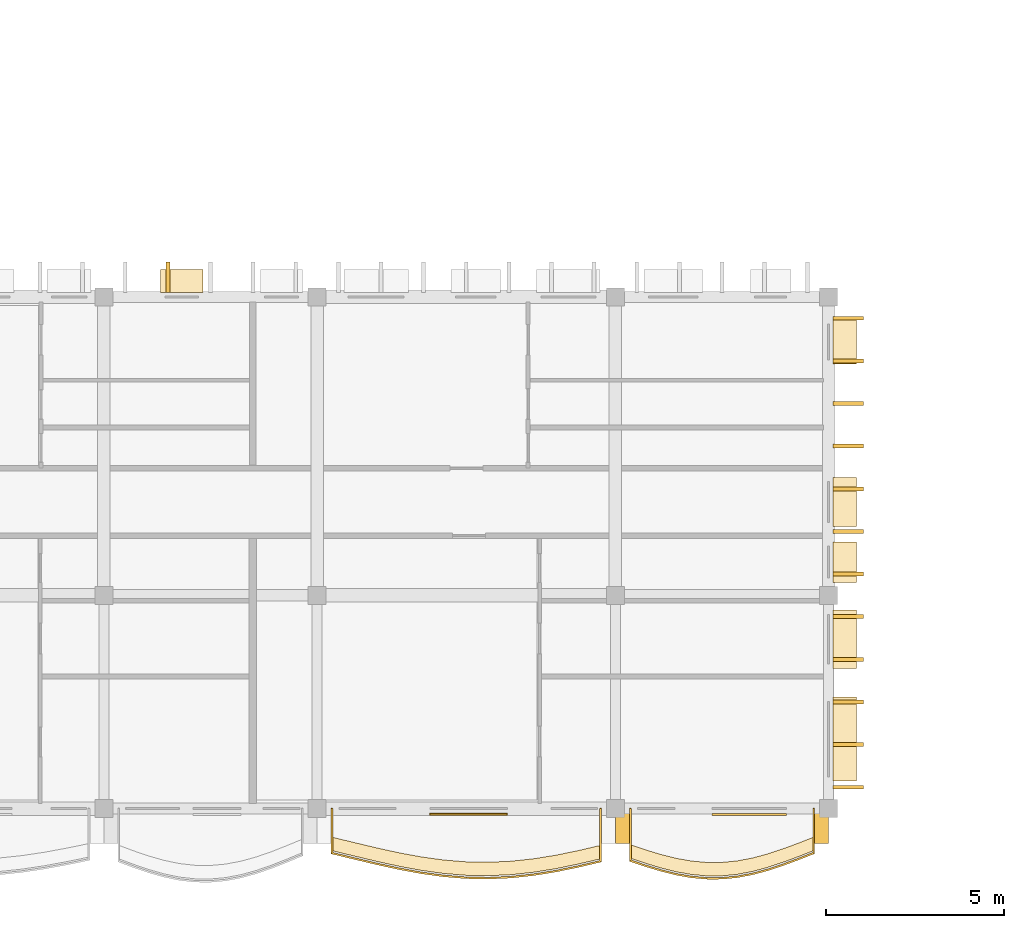
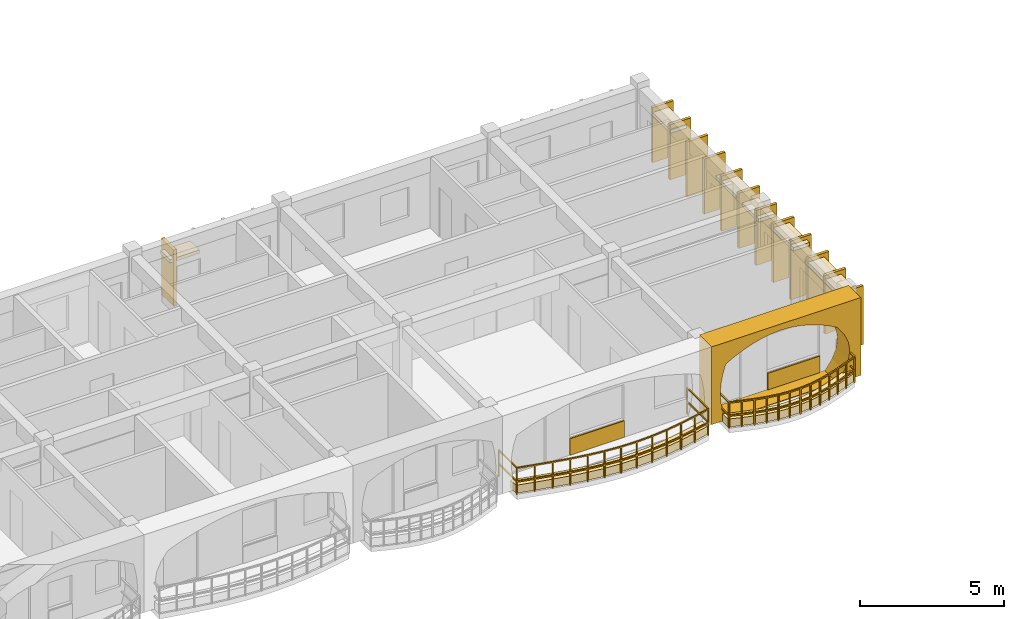
# One storey, part 43 of 66: 24 coverings, 2 railings.
"""IFC4 building model written with IfcOpenShell, lengths in metres."""

from ifc_helpers import new_model, si_unit, direction, frame, origin, origin_2d, place, context, subcontext, project, spatial, polyline, rectangle, outline, extrude, material, layer, layer_set, type_object, element, save


model = new_model("IFC4")

# Units and contexts
model_context = context("Model", 3, precision=1e-05, world=origin(), true_north=direction((0.0, 1.0)))
body_context = subcontext(model_context, "Body", "Model", "MODEL_VIEW")
ifc_project = project(units=[si_unit("LENGTHUNIT", "METRE"), si_unit("AREAUNIT", "SQUARE_METRE"), si_unit("VOLUMEUNIT", "CUBIC_METRE"), si_unit("PLANEANGLEUNIT", "RADIAN"), si_unit("MASSUNIT", "GRAM", prefix="KILO"), si_unit("THERMODYNAMICTEMPERATUREUNIT", "KELVIN")], contexts=[model_context])

# Site, building, storey
site_placement = place(None, origin())
site = spatial("IfcSite", under=ifc_project, at=site_placement, CompositionType="ELEMENT")
building_placement = place(site_placement, origin())
building = spatial("IfcBuilding", under=site, at=building_placement, Name="Thalorik Housing Commons", CompositionType="ELEMENT")
storey_placement = place(building_placement, frame((0.0, 0.0, 21.300048828125)))
storey = spatial("IfcBuildingStorey", under=building, at=storey_placement, Name="L06", CompositionType="ELEMENT", Elevation=21.300048828125)

# Coverings
ifc_material_1 = material(Name="Cobalt blue glazed ceramic facade tile panel", Category="masonry")
ifc_layer_1 = layer(ifc_material_1, 0.06005859375, Name="Cobalt blue glazed ceramic facade tile panel", Category="masonry")
ifc_layer_set_1 = layer_set([ifc_layer_1], Name="Cobalt blue glazed ceramic facade tile panel")
covering_type_1 = type_object("IfcCoveringType", Name="ARC-CLD-BLU-60", PredefinedType="CLADDING", material=ifc_layer_set_1)
covering_1_placement = place(storey_placement, frame((55.364990234375, 8.235107421875, 0.0498046875), z_axis=(0.0, 0.0, 1.0), x_axis=(1.0, 0.0, 0.0)))
element("IfcCovering", 1, at=covering_1_placement, inside=storey, type_object=covering_type_1, Name="L06 De Stijl Recessed Window Spandrel 4098", PredefinedType="CLADDING", context=body_context, shape_type="SweptSolid", body=[
    extrude(rectangle(XDim=2.10009765625, YDim=0.06005859375, at=origin_2d()), origin(), (0.0, 0.0, 1.0), 0.699951171875),
])
ifc_material_2 = material(Name="Precast concrete C40/50", Category="concrete")
ifc_layer_2 = layer(ifc_material_2, 0.85009765625, Name="Precast concrete C40/50", Category="concrete")
ifc_layer_set_2 = layer_set([ifc_layer_2], Name="Precast concrete C40/50")
covering_type_2 = type_object("IfcCoveringType", Name="ARC-CLD-CUSH-850", PredefinedType="CLADDING", material=ifc_layer_set_2)
covering_2_placement = place(storey_placement, frame((54.60009765625, 7.844970703125, 0.0), z_axis=(0.0, 0.0, 1.0), x_axis=(1.0, 0.0, 0.0)))
element("IfcCovering", 2, at=covering_2_placement, inside=storey, type_object=covering_type_2, Name="L06 White Precast Curved Cushion Bay Frame 4097", PredefinedType="CLADDING", context=body_context, shape_type="SweptSolid", body=[
    extrude(outline(polyline([(-3.0, 0.0), (3.0, 0.0), (3.0, 3.300048828125), (-3.0, 3.300048828125), (-3.0, 0.0)]), holes=[polyline([(2.0400390625, 0.02490234375), (2.3232421875, 0.415771484375), (2.493408203125, 0.806640625), (2.550048828125, 1.197509765625), (2.493408203125, 1.58837890625), (2.3232421875, 1.979248046875), (2.0400390625, 2.3701171875), (1.66748046875, 2.573974609375), (1.294921875, 2.734130859375), (0.922607421875, 2.864013671875), (0.550048828125, 2.960205078125), (0.177490234375, 3.02001953125), (-0.195068359375, 3.0400390625), (-0.5673828125, 3.02001953125), (-0.93994140625, 2.960205078125), (-1.3125, 2.864013671875), (-1.68505859375, 2.734130859375), (-2.0576171875, 2.573974609375), (-2.429931640625, 2.3701171875), (-2.55029296875, 1.979248046875), (-2.62255859375, 1.58837890625), (-2.646484375, 1.197509765625), (-2.62255859375, 0.806640625), (-2.55029296875, 0.415771484375), (-2.429931640625, 0.02490234375), (2.0400390625, 0.02490234375)])]), frame((0.0, 0.425048828125, 0.0), z_axis=(0.0, -1.0, 0.0), x_axis=(1.0, 0.0, 0.0)), (0.0, 0.0, 1.0), 0.85009765625),
])
ifc_layer_3 = layer(ifc_material_2, 0.85009765625, Name="Precast concrete C40/50", Category="concrete")
ifc_layer_set_3 = layer_set([ifc_layer_3], Name="Precast concrete C40/50")
covering_type_3 = type_object("IfcCoveringType", Name="ARC-CLD-FIN-850", PredefinedType="CLADDING", material=ifc_layer_set_3)
for number, where, z_axis, x_axis, name in (
    (3, (58.155029296875, 9.0, 0.039794921875), (0.0, 0.0, 1.0), (0.0, 1.0, 0.0), "L06 Courtyard Precast Vertical Brise-Soleil Fin 4099"),
    (4, (58.155029296875, 10.199951171875, 0.039794921875), (0.0, 0.0, 1.0), (0.0, 1.0, 0.0), "L06 Courtyard Precast Vertical Brise-Soleil Fin 4100"),
    (5, (58.155029296875, 11.39990234375, 0.039794921875), (0.0, 0.0, 1.0), (0.0, 1.0, 0.0), "L06 Courtyard Precast Vertical Brise-Soleil Fin 4101"),
    (6, (58.155029296875, 12.60009765625, 0.039794921875), (0.0, 0.0, 1.0), (0.0, 1.0, 0.0), "L06 Courtyard Precast Vertical Brise-Soleil Fin 4102"),
    (7, (58.155029296875, 13.800048828125, 0.039794921875), (0.0, 0.0, 1.0), (0.0, 1.0, 0.0), "L06 Courtyard Precast Vertical Brise-Soleil Fin 4103"),
):
    element("IfcCovering", number, at=place(storey_placement, frame(where, z_axis=z_axis, x_axis=x_axis)), inside=storey, type_object=covering_type_3, Name=name, PredefinedType="CLADDING", context=body_context, shape_type="SweptSolid", body=[
        extrude(rectangle(XDim=0.110107421875, YDim=0.85009765625, at=origin_2d()), origin(), (0.0, 0.0, 1.0), 2.4951171875),
    ])
for number, where, z_axis, x_axis, name in (
    (8, (58.155029296875, 15.0, 0.0400390625), (0.0, 0.0, 1.0), (0.0, 1.0, 0.0), "L06 Courtyard Precast Vertical Brise-Soleil Fin 4106"),
    (9, (58.155029296875, 16.199951171875, 0.0400390625), (0.0, 0.0, 1.0), (0.0, 1.0, 0.0), "L06 Courtyard Precast Vertical Brise-Soleil Fin 4107"),
    (10, (58.155029296875, 17.39990234375, 0.0400390625), (0.0, 0.0, 1.0), (0.0, 1.0, 0.0), "L06 Courtyard Precast Vertical Brise-Soleil Fin 4108"),
    (11, (58.155029296875, 18.60009765625, 0.0400390625), (0.0, 0.0, 1.0), (0.0, 1.0, 0.0), "L06 Courtyard Precast Vertical Brise-Soleil Fin 4109"),
    (12, (58.155029296875, 19.800048828125, 0.0400390625), (0.0, 0.0, 1.0), (0.0, 1.0, 0.0), "L06 Courtyard Precast Vertical Brise-Soleil Fin 4110"),
    (13, (58.155029296875, 21.0, 0.0400390625), (0.0, 0.0, 1.0), (0.0, 1.0, 0.0), "L06 Courtyard Precast Vertical Brise-Soleil Fin 4111"),
    (14, (58.155029296875, 22.199951171875, 0.0400390625), (0.0, 0.0, 1.0), (0.0, 1.0, 0.0), "L06 Courtyard Precast Vertical Brise-Soleil Fin 4112"),
):
    element("IfcCovering", number, at=place(storey_placement, frame(where, z_axis=z_axis, x_axis=x_axis)), inside=storey, type_object=covering_type_3, Name=name, PredefinedType="CLADDING", context=body_context, shape_type="SweptSolid", body=[
        extrude(rectangle(XDim=0.110107421875, YDim=0.85009765625, at=origin_2d()), origin(), (0.0, 0.0, 1.0), 2.344970703125),
    ])
covering_3_placement = place(storey_placement, frame((39.0, 23.35498046875, 0.0400390625), z_axis=(0.0, 0.0, 1.0), x_axis=(-1.0, 0.0, 0.0)))
element("IfcCovering", 15, at=covering_3_placement, inside=storey, type_object=covering_type_3, Name="L06 Courtyard Precast Vertical Brise-Soleil Fin 4136", PredefinedType="CLADDING", context=body_context, shape_type="SweptSolid", body=[
    extrude(rectangle(XDim=0.110107421875, YDim=0.85009765625, at=origin_2d()), origin(), (0.0, 0.0, 1.0), 2.39501953125),
])
ifc_layer_4 = layer(ifc_material_2, 0.64990234375, Name="Precast concrete C40/50", Category="concrete")
ifc_layer_set_4 = layer_set([ifc_layer_4], Name="Precast concrete C40/50")
covering_type_4 = type_object("IfcCoveringType", Name="ARC-CLD-HOOD-650", PredefinedType="CLADDING", material=ifc_layer_set_4)
covering_4_placement = place(storey_placement, frame((58.054931640625, 10.353759765625, 2.22998046875), z_axis=(0.0, 0.0, 1.0), x_axis=(0.0, 1.0, 0.0)))
element("IfcCovering", 16, at=covering_4_placement, inside=storey, type_object=covering_type_4, Name="L06 Courtyard Precast Window Sun-Hood 4104", PredefinedType="CLADDING", context=body_context, shape_type="SweptSolid", body=[
    extrude(rectangle(XDim=2.360107421875, YDim=0.64990234375, at=origin_2d()), origin(), (0.0, 0.0, 1.0), 0.139892578125),
])
covering_5_placement = place(storey_placement, frame((58.054931640625, 13.163818359375, 2.240234375), z_axis=(0.0, 0.0, 1.0), x_axis=(0.0, 1.0, 0.0)))
element("IfcCovering", 17, at=covering_5_placement, inside=storey, type_object=covering_type_4, Name="L06 Courtyard Precast Window Sun-Hood 4105", PredefinedType="CLADDING", context=body_context, shape_type="SweptSolid", body=[
    extrude(rectangle(XDim=1.639892578125, YDim=0.64990234375, at=origin_2d()), origin(), (0.0, 0.0, 1.0), 0.139892578125),
])
covering_6_placement = place(storey_placement, frame((58.054931640625, 15.3349609375, 1.990234375), z_axis=(0.0, 0.0, 1.0), x_axis=(0.0, 1.0, 0.0)))
element("IfcCovering", 18, at=covering_6_placement, inside=storey, type_object=covering_type_4, Name="L06 Courtyard Precast Window Sun-Hood 4113", PredefinedType="CLADDING", context=body_context, shape_type="SweptSolid", body=[
    extrude(rectangle(XDim=1.139892578125, YDim=0.64990234375, at=origin_2d()), origin(), (0.0, 0.0, 1.0), 0.139892578125),
])
covering_7_placement = place(storey_placement, frame((58.054931640625, 17.030029296875, 2.0400390625), z_axis=(0.0, 0.0, 1.0), x_axis=(0.0, 1.0, 0.0)))
element("IfcCovering", 19, at=covering_7_placement, inside=storey, type_object=covering_type_4, Name="L06 Courtyard Precast Window Sun-Hood 4114", PredefinedType="CLADDING", context=body_context, shape_type="SweptSolid", body=[
    extrude(rectangle(XDim=1.389892578125, YDim=0.64990234375, at=origin_2d()), origin(), (0.0, 0.0, 1.0), 0.139892578125),
])
covering_8_placement = place(storey_placement, frame((58.054931640625, 21.53271484375, 2.0400390625), z_axis=(0.0, 0.0, 1.0), x_axis=(0.0, 1.0, 0.0)))
element("IfcCovering", 20, at=covering_8_placement, inside=storey, type_object=covering_type_4, Name="L06 Courtyard Precast Window Sun-Hood 4115", PredefinedType="CLADDING", context=body_context, shape_type="SweptSolid", body=[
    extrude(rectangle(XDim=1.239990234375, YDim=0.64990234375, at=origin_2d()), origin(), (0.0, 0.0, 1.0), 0.139892578125),
])
covering_9_placement = place(storey_placement, frame((39.389892578125, 23.2548828125, 1.93994140625), z_axis=(0.0, 0.0, 1.0), x_axis=(-1.0, 0.0, 0.0)))
element("IfcCovering", 21, at=covering_9_placement, inside=storey, type_object=covering_type_4, Name="L06 Courtyard Precast Window Sun-Hood 4139", PredefinedType="CLADDING", context=body_context, shape_type="SweptSolid", body=[
    extrude(rectangle(XDim=1.18994140625, YDim=0.64990234375, at=origin_2d()), origin(), (0.0, 0.0, 1.0), 0.139892578125),
])
ifc_material_3 = material(Name="Terracotta red mineral fibre-cement panel", Category="masonry")
ifc_layer_5 = layer(ifc_material_3, 0.054931640625, Name="Terracotta red mineral fibre-cement panel", Category="masonry")
ifc_layer_set_5 = layer_set([ifc_layer_5], Name="Terracotta red mineral fibre-cement panel")
covering_type_5 = type_object("IfcCoveringType", Name="ARC-CLD-RED-55", PredefinedType="CLADDING", material=ifc_layer_set_5)
covering_10_placement = place(storey_placement, frame((47.467529296875, 8.237548828125, 0.0498046875), z_axis=(0.0, 0.0, 1.0), x_axis=(1.0, 0.0, 0.0)))
element("IfcCovering", 22, at=covering_10_placement, inside=storey, type_object=covering_type_5, Name="L06 De Stijl Recessed Window Spandrel 4096", PredefinedType="CLADDING", context=body_context, shape_type="SweptSolid", body=[
    extrude(rectangle(XDim=2.179931640625, YDim=0.054931640625, at=origin_2d()), origin(), (0.0, 0.0, 1.0), 0.699951171875),
])
ifc_material_4 = material(Name="Planted vegetated substrate and terracotta trough", Category="masonry")
ifc_layer_6 = layer(ifc_material_4, 0.340087890625, Name="Planted vegetated substrate and terracotta trough", Category="masonry")
ifc_layer_set_6 = layer_set([ifc_layer_6], Name="Planted vegetated substrate and terracotta trough")
covering_type_6 = type_object("IfcCoveringType", Name="ARC-COV-PLANTER", PredefinedType="USERDEFINED", material=ifc_layer_set_6)
covering_11_placement = place(storey_placement, origin())
element("IfcCovering", 23, at=covering_11_placement, inside=storey, type_object=covering_type_6, Name="L06 Balcony Slab-Edge Planted Trough 5615", ObjectType="PLANTER", PredefinedType="USERDEFINED", context=body_context, shape_type="SweptSolid", body=[
    extrude(outline(polyline([(43.6201171875, 7.213134765625), (44.25, 7.061279296875), (44.8798828125, 6.911376953125), (45.510009765625, 6.773681640625), (46.139892578125, 6.6572265625), (46.77001953125, 6.57080078125), (47.39990234375, 6.519775390625), (48.030029296875, 6.50830078125), (48.659912109375, 6.537109375), (49.2900390625, 6.604736328125), (49.919921875, 6.70654296875), (50.550048828125, 6.8359375), (51.179931640625, 6.98388671875), (51.179931640625, 7.364013671875), (50.550048828125, 7.2158203125), (49.919921875, 7.086669921875), (49.2900390625, 6.98486328125), (48.659912109375, 6.917236328125), (48.030029296875, 6.88818359375), (47.39990234375, 6.89990234375), (46.77001953125, 6.95068359375), (46.139892578125, 7.037353515625), (45.510009765625, 7.153564453125), (44.8798828125, 7.29150390625), (44.25, 7.44140625), (43.6201171875, 7.59326171875), (43.6201171875, 7.213134765625)])), origin(), (0.0, 0.0, 1.0), 0.33984375),
])
covering_12_placement = place(storey_placement, origin())
element("IfcCovering", 24, at=covering_12_placement, inside=storey, type_object=covering_type_6, Name="L06 Balcony Slab-Edge Planted Trough 5616", ObjectType="PLANTER", PredefinedType="USERDEFINED", context=body_context, shape_type="SweptSolid", body=[
    extrude(outline(polyline([(52.02001953125, 7.001220703125), (52.449951171875, 6.856689453125), (52.8798828125, 6.725830078125), (53.31005859375, 6.618408203125), (53.739990234375, 6.542236328125), (54.169921875, 6.503173828125), (54.60009765625, 6.50439453125), (55.030029296875, 6.547119140625), (55.4599609375, 6.628662109375), (55.889892578125, 6.744384765625), (56.320068359375, 6.88671875), (56.75, 7.046875), (57.179931640625, 7.214111328125), (57.179931640625, 7.59423828125), (56.75, 7.427001953125), (56.320068359375, 7.266845703125), (55.889892578125, 7.124267578125), (55.4599609375, 7.0087890625), (55.030029296875, 6.927001953125), (54.60009765625, 6.884521484375), (54.169921875, 6.883056640625), (53.739990234375, 6.922119140625), (53.31005859375, 6.998291015625), (52.8798828125, 7.10595703125), (52.449951171875, 7.236572265625), (52.02001953125, 7.381103515625), (52.02001953125, 7.001220703125)])), origin(), (0.0, 0.0, 1.0), 0.33984375),
])

# Railings
ifc_material_5 = material(Name="Steel S355", Category="steel")
railing_type_1 = type_object("IfcRailingType", Name="ARC-RL-BAL-112", PredefinedType="BALUSTRADE", material=ifc_material_5)
railing_1_placement = place(storey_placement, frame((52.02001953125, 8.39990234375, 0.0)))
element("IfcRailing", 25, at=railing_1_placement, inside=storey, type_object=railing_type_1, Name="L06 Cushion Balcony Guardrail 300", PredefinedType="BALUSTRADE", context=body_context, shape_type="SweptSolid", body=[
    extrude(rectangle(XDim=0.050048828125, YDim=0.050048828125, at=origin_2d()), frame((0.0, 0.0, 1.09521484375), z_axis=(0.0, -1.0, 0.0), x_axis=(1.0, 0.0, 0.0)), (0.0, 0.0, 1.0), 1.46875),
    extrude(rectangle(XDim=0.050048828125, YDim=0.050048828125, at=origin_2d()), frame((0.0, 0.0, 0.53515625), z_axis=(0.0, -1.0, 0.0), x_axis=(1.0, 0.0, 0.0)), (0.0, 0.0, 1.0), 1.46875),
    extrude(rectangle(XDim=0.050048828125, YDim=0.050048828125, at=origin_2d()), frame((0.0, -1.46875, 1.09521484375), z_axis=(0.947872818524, -0.318648897539, 0.0), x_axis=(0.318648897539, 0.947872818524, 0.0)), (0.0, 0.0, 1.0), 0.45361328125),
    extrude(rectangle(XDim=0.050048828125, YDim=0.050048828125, at=origin_2d()), frame((0.0, -1.46875, 0.53515625), z_axis=(0.947872818524, -0.318648897539, 0.0), x_axis=(0.318648897539, 0.947872818524, 0.0)), (0.0, 0.0, 1.0), 0.45361328125),
    extrude(rectangle(XDim=0.050048828125, YDim=0.050048828125, at=origin_2d()), frame((0.429931640625, -1.61328125, 1.09521484375), z_axis=(0.956818527024, -0.290685923883, 0.0), x_axis=(0.290685923883, 0.956818527024, 0.0)), (0.0, 0.0, 1.0), 0.44921875),
    extrude(rectangle(XDim=0.050048828125, YDim=0.050048828125, at=origin_2d()), frame((0.429931640625, -1.61328125, 0.53515625), z_axis=(0.956818527024, -0.290685923883, 0.0), x_axis=(0.290685923883, 0.956818527024, 0.0)), (0.0, 0.0, 1.0), 0.44921875),
    extrude(rectangle(XDim=0.050048828125, YDim=0.050048828125, at=origin_2d()), frame((0.85986328125, -1.743896484375, 1.09521484375), z_axis=(0.970077694388, -0.242794701036, 0.0), x_axis=(0.242794701036, 0.970077694388, 0.0)), (0.0, 0.0, 1.0), 0.443359375),
    extrude(rectangle(XDim=0.050048828125, YDim=0.050048828125, at=origin_2d()), frame((0.85986328125, -1.743896484375, 0.53515625), z_axis=(0.970077694388, -0.242794701036, 0.0), x_axis=(0.242794701036, 0.970077694388, 0.0)), (0.0, 0.0, 1.0), 0.443359375),
    extrude(rectangle(XDim=0.050048828125, YDim=0.050048828125, at=origin_2d()), frame((1.2900390625, -1.8515625, 1.09521484375), z_axis=(0.984665121198, -0.174455149241, 0.0), x_axis=(0.174455149241, 0.984665121198, 0.0)), (0.0, 0.0, 1.0), 0.4365234375),
    extrude(rectangle(XDim=0.050048828125, YDim=0.050048828125, at=origin_2d()), frame((1.2900390625, -1.8515625, 0.53515625), z_axis=(0.984665121198, -0.174455149241, 0.0), x_axis=(0.174455149241, 0.984665121198, 0.0)), (0.0, 0.0, 1.0), 0.4365234375),
    extrude(rectangle(XDim=0.050048828125, YDim=0.050048828125, at=origin_2d()), frame((1.719970703125, -1.927734375, 1.09521484375), z_axis=(0.995897840652, -0.090484755539, 0.0), x_axis=(0.090484755539, 0.995897840652, 0.0)), (0.0, 0.0, 1.0), 0.431640625),
    extrude(rectangle(XDim=0.050048828125, YDim=0.050048828125, at=origin_2d()), frame((1.719970703125, -1.927734375, 0.53515625), z_axis=(0.995897840652, -0.090484755539, 0.0), x_axis=(0.090484755539, 0.995897840652, 0.0)), (0.0, 0.0, 1.0), 0.431640625),
    extrude(rectangle(XDim=0.050048828125, YDim=0.050048828125, at=origin_2d()), frame((2.14990234375, -1.966796875, 1.09521484375), z_axis=(0.999994202284, 0.003405201597, 0.0), x_axis=(-0.003405201597, 0.999994202284, 0.0)), (0.0, 0.0, 1.0), 0.43017578125),
    extrude(rectangle(XDim=0.050048828125, YDim=0.050048828125, at=origin_2d()), frame((2.14990234375, -1.966796875, 0.53515625), z_axis=(0.999994202284, 0.003405201597, 0.0), x_axis=(-0.003405201597, 0.999994202284, 0.0)), (0.0, 0.0, 1.0), 0.43017578125),
    extrude(rectangle(XDim=0.050048828125, YDim=0.050048828125, at=origin_2d()), frame((2.580078125, -1.96533203125, 1.09521484375), z_axis=(0.995153994045, 0.098328674028, 0.0), x_axis=(-0.098328674028, 0.995153994045, 0.0)), (0.0, 0.0, 1.0), 0.43212890625),
    extrude(rectangle(XDim=0.050048828125, YDim=0.050048828125, at=origin_2d()), frame((2.580078125, -1.96533203125, 0.53515625), z_axis=(0.995153994045, 0.098328674028, 0.0), x_axis=(-0.098328674028, 0.995153994045, 0.0)), (0.0, 0.0, 1.0), 0.43212890625),
    extrude(rectangle(XDim=0.050048828125, YDim=0.050048828125, at=origin_2d()), frame((3.010009765625, -1.9228515625, 1.09521484375), z_axis=(0.982484763275, 0.186342936362, 0.0), x_axis=(-0.186342936362, 0.982484763275, 0.0)), (0.0, 0.0, 1.0), 0.4375),
    extrude(rectangle(XDim=0.050048828125, YDim=0.050048828125, at=origin_2d()), frame((3.010009765625, -1.9228515625, 0.53515625), z_axis=(0.982484763275, 0.186342936362, 0.0), x_axis=(-0.186342936362, 0.982484763275, 0.0)), (0.0, 0.0, 1.0), 0.4375),
    extrude(rectangle(XDim=0.050048828125, YDim=0.050048828125, at=origin_2d()), frame((3.43994140625, -1.84130859375, 1.09521484375), z_axis=(0.965631639751, 0.259914478843, 0.0), x_axis=(-0.259914478843, 0.965631639751, 0.0)), (0.0, 0.0, 1.0), 0.4453125),
    extrude(rectangle(XDim=0.050048828125, YDim=0.050048828125, at=origin_2d()), frame((3.43994140625, -1.84130859375, 0.53515625), z_axis=(0.965631639751, 0.259914478843, 0.0), x_axis=(-0.259914478843, 0.965631639751, 0.0)), (0.0, 0.0, 1.0), 0.4453125),
    extrude(rectangle(XDim=0.050048828125, YDim=0.050048828125, at=origin_2d()), frame((3.869873046875, -1.7255859375, 1.09521484375), z_axis=(0.94922063916, 0.314611153955, 0.0), x_axis=(-0.314611153955, 0.94922063916, 0.0)), (0.0, 0.0, 1.0), 0.453125),
    extrude(rectangle(XDim=0.050048828125, YDim=0.050048828125, at=origin_2d()), frame((3.869873046875, -1.7255859375, 0.53515625), z_axis=(0.94922063916, 0.314611153955, 0.0), x_axis=(-0.314611153955, 0.94922063916, 0.0)), (0.0, 0.0, 1.0), 0.453125),
    extrude(rectangle(XDim=0.050048828125, YDim=0.050048828125, at=origin_2d()), frame((4.300048828125, -1.5830078125, 1.09521484375), z_axis=(0.93726634386, 0.348614114269, 0.0), x_axis=(-0.348614114269, 0.93726634386, 0.0)), (0.0, 0.0, 1.0), 0.458740234375),
    extrude(rectangle(XDim=0.050048828125, YDim=0.050048828125, at=origin_2d()), frame((4.300048828125, -1.5830078125, 0.53515625), z_axis=(0.93726634386, 0.348614114269, 0.0), x_axis=(-0.348614114269, 0.93726634386, 0.0)), (0.0, 0.0, 1.0), 0.458740234375),
    extrude(rectangle(XDim=0.050048828125, YDim=0.050048828125, at=origin_2d()), frame((4.72998046875, -1.423095703125, 1.09521484375), z_axis=(0.931795986595, 0.362982422944, 0.0), x_axis=(-0.362982422944, 0.931795986595, 0.0)), (0.0, 0.0, 1.0), 0.46142578125),
    extrude(rectangle(XDim=0.050048828125, YDim=0.050048828125, at=origin_2d()), frame((4.72998046875, -1.423095703125, 0.53515625), z_axis=(0.931795986595, 0.362982422944, 0.0), x_axis=(-0.362982422944, 0.931795986595, 0.0)), (0.0, 0.0, 1.0), 0.46142578125),
    extrude(rectangle(XDim=0.050048828125, YDim=0.050048828125, at=origin_2d()), frame((5.159912109375, -1.255615234375, 1.09521484375), z_axis=(0.0, 1.0, 0.0), x_axis=(-1.0, 0.0, 0.0)), (0.0, 0.0, 1.0), 1.255615234375),
    extrude(rectangle(XDim=0.050048828125, YDim=0.050048828125, at=origin_2d()), frame((5.159912109375, -1.255615234375, 0.53515625), z_axis=(0.0, 1.0, 0.0), x_axis=(-1.0, 0.0, 0.0)), (0.0, 0.0, 1.0), 1.255615234375),
    extrude(rectangle(XDim=0.0419921875, YDim=0.0419921875, at=origin_2d()), origin(), (0.0, 0.0, 1.0), 1.070068359375),
    extrude(rectangle(XDim=0.0419921875, YDim=0.0419921875, at=origin_2d()), frame((0.0, -1.46875, 0.0)), (0.0, 0.0, 1.0), 1.070068359375),
    extrude(rectangle(XDim=0.0419921875, YDim=0.0419921875, at=origin_2d()), frame((0.429931640625, -1.61328125, 0.0)), (0.0, 0.0, 1.0), 1.070068359375),
    extrude(rectangle(XDim=0.0419921875, YDim=0.0419921875, at=origin_2d()), frame((0.85986328125, -1.743896484375, 0.0)), (0.0, 0.0, 1.0), 1.070068359375),
    extrude(rectangle(XDim=0.0419921875, YDim=0.0419921875, at=origin_2d()), frame((1.2900390625, -1.8515625, 0.0)), (0.0, 0.0, 1.0), 1.070068359375),
    extrude(rectangle(XDim=0.0419921875, YDim=0.0419921875, at=origin_2d()), frame((1.719970703125, -1.927734375, 0.0)), (0.0, 0.0, 1.0), 1.070068359375),
    extrude(rectangle(XDim=0.0419921875, YDim=0.0419921875, at=origin_2d()), frame((2.14990234375, -1.966796875, 0.0)), (0.0, 0.0, 1.0), 1.070068359375),
    extrude(rectangle(XDim=0.0419921875, YDim=0.0419921875, at=origin_2d()), frame((2.580078125, -1.96533203125, 0.0)), (0.0, 0.0, 1.0), 1.070068359375),
    extrude(rectangle(XDim=0.0419921875, YDim=0.0419921875, at=origin_2d()), frame((3.010009765625, -1.9228515625, 0.0)), (0.0, 0.0, 1.0), 1.070068359375),
    extrude(rectangle(XDim=0.0419921875, YDim=0.0419921875, at=origin_2d()), frame((3.43994140625, -1.84130859375, 0.0)), (0.0, 0.0, 1.0), 1.070068359375),
    extrude(rectangle(XDim=0.0419921875, YDim=0.0419921875, at=origin_2d()), frame((3.869873046875, -1.7255859375, 0.0)), (0.0, 0.0, 1.0), 1.070068359375),
    extrude(rectangle(XDim=0.0419921875, YDim=0.0419921875, at=origin_2d()), frame((4.300048828125, -1.5830078125, 0.0)), (0.0, 0.0, 1.0), 1.070068359375),
    extrude(rectangle(XDim=0.0419921875, YDim=0.0419921875, at=origin_2d()), frame((4.72998046875, -1.423095703125, 0.0)), (0.0, 0.0, 1.0), 1.070068359375),
    extrude(rectangle(XDim=0.0419921875, YDim=0.0419921875, at=origin_2d()), frame((5.159912109375, -1.255615234375, 0.0)), (0.0, 0.0, 1.0), 1.070068359375),
    extrude(rectangle(XDim=0.0419921875, YDim=0.0419921875, at=origin_2d()), frame((5.159912109375, 0.0, 0.0)), (0.0, 0.0, 1.0), 1.070068359375),
])
railing_type_2 = type_object("IfcRailingType", Name="ARC-RL-BAL-115", PredefinedType="BALUSTRADE", material=ifc_material_5)
railing_2_placement = place(storey_placement, frame((43.6201171875, 8.39990234375, 0.0)))
element("IfcRailing", 26, at=railing_2_placement, inside=storey, type_object=railing_type_2, Name="L06 Cushion Balcony Guardrail 299", PredefinedType="BALUSTRADE", context=body_context, shape_type="SweptSolid", body=[
    extrude(rectangle(XDim=0.050048828125, YDim=0.050048828125, at=origin_2d()), frame((0.0, 0.0, 1.125), z_axis=(0.0, -1.0, 0.0), x_axis=(1.0, 0.0, 0.0)), (0.0, 0.0, 1.0), 1.256591796875),
    extrude(rectangle(XDim=0.050048828125, YDim=0.050048828125, at=origin_2d()), frame((0.0, 0.0, 0.5498046875), z_axis=(0.0, -1.0, 0.0), x_axis=(1.0, 0.0, 0.0)), (0.0, 0.0, 1.0), 1.256591796875),
    extrude(rectangle(XDim=0.050048828125, YDim=0.050048828125, at=origin_2d()), frame((0.0, -1.256591796875, 1.125), z_axis=(0.972061461367, -0.23472646916, 0.0), x_axis=(0.23472646916, 0.972061461367, 0.0)), (0.0, 0.0, 1.0), 0.64794921875),
    extrude(rectangle(XDim=0.050048828125, YDim=0.050048828125, at=origin_2d()), frame((0.0, -1.256591796875, 0.5498046875), z_axis=(0.972061461367, -0.23472646916, 0.0), x_axis=(0.23472646916, 0.972061461367, 0.0)), (0.0, 0.0, 1.0), 0.64794921875),
    extrude(rectangle(XDim=0.050048828125, YDim=0.050048828125, at=origin_2d()), frame((0.6298828125, -1.40869140625, 1.125), z_axis=(0.972830483983, -0.231518572545, 0.0), x_axis=(0.231518572545, 0.972830483983, 0.0)), (0.0, 0.0, 1.0), 0.6474609375),
    extrude(rectangle(XDim=0.050048828125, YDim=0.050048828125, at=origin_2d()), frame((0.6298828125, -1.40869140625, 0.5498046875), z_axis=(0.972830483983, -0.231518572545, 0.0), x_axis=(0.231518572545, 0.972830483983, 0.0)), (0.0, 0.0, 1.0), 0.6474609375),
    extrude(rectangle(XDim=0.050048828125, YDim=0.050048828125, at=origin_2d()), frame((1.259765625, -1.55859375, 1.125), z_axis=(0.976946911353, -0.213482393647, 0.0), x_axis=(0.213482393647, 0.976946911353, 0.0)), (0.0, 0.0, 1.0), 0.64501953125),
    extrude(rectangle(XDim=0.050048828125, YDim=0.050048828125, at=origin_2d()), frame((1.259765625, -1.55859375, 0.5498046875), z_axis=(0.976946911353, -0.213482393647, 0.0), x_axis=(0.213482393647, 0.976946911353, 0.0)), (0.0, 0.0, 1.0), 0.64501953125),
    extrude(rectangle(XDim=0.050048828125, YDim=0.050048828125, at=origin_2d()), frame((1.889892578125, -1.6962890625, 1.125), z_axis=(0.98340311213, -0.181434062548, 0.0), x_axis=(0.181434062548, 0.98340311213, 0.0)), (0.0, 0.0, 1.0), 0.640625),
    extrude(rectangle(XDim=0.050048828125, YDim=0.050048828125, at=origin_2d()), frame((1.889892578125, -1.6962890625, 0.5498046875), z_axis=(0.98340311213, -0.181434062548, 0.0), x_axis=(0.181434062548, 0.98340311213, 0.0)), (0.0, 0.0, 1.0), 0.640625),
    extrude(rectangle(XDim=0.050048828125, YDim=0.050048828125, at=origin_2d()), frame((2.519775390625, -1.8125, 1.125), z_axis=(0.990673011693, -0.136260720322, 0.0), x_axis=(0.136260720322, 0.990673011693, 0.0)), (0.0, 0.0, 1.0), 0.635986328125),
    extrude(rectangle(XDim=0.050048828125, YDim=0.050048828125, at=origin_2d()), frame((2.519775390625, -1.8125, 0.5498046875), z_axis=(0.990673011693, -0.136260720322, 0.0), x_axis=(0.136260720322, 0.990673011693, 0.0)), (0.0, 0.0, 1.0), 0.635986328125),
    extrude(rectangle(XDim=0.050048828125, YDim=0.050048828125, at=origin_2d()), frame((3.14990234375, -1.899169921875, 1.125), z_axis=(0.996734932958, -0.080743256197, 0.0), x_axis=(0.080743256197, 0.996734932958, 0.0)), (0.0, 0.0, 1.0), 0.6318359375),
    extrude(rectangle(XDim=0.050048828125, YDim=0.050048828125, at=origin_2d()), frame((3.14990234375, -1.899169921875, 0.5498046875), z_axis=(0.996734932958, -0.080743256197, 0.0), x_axis=(0.080743256197, 0.996734932958, 0.0)), (0.0, 0.0, 1.0), 0.6318359375),
    extrude(rectangle(XDim=0.050048828125, YDim=0.050048828125, at=origin_2d()), frame((3.77978515625, -1.9501953125, 1.125), z_axis=(0.999834239245, -0.018206977623, 0.0), x_axis=(0.018206977623, 0.999834239245, 0.0)), (0.0, 0.0, 1.0), 0.630126953125),
    extrude(rectangle(XDim=0.050048828125, YDim=0.050048828125, at=origin_2d()), frame((3.77978515625, -1.9501953125, 0.5498046875), z_axis=(0.999834239245, -0.018206977623, 0.0), x_axis=(0.018206977623, 0.999834239245, 0.0)), (0.0, 0.0, 1.0), 0.630126953125),
    extrude(rectangle(XDim=0.050048828125, YDim=0.050048828125, at=origin_2d()), frame((4.409912109375, -1.961669921875, 1.125), z_axis=(0.998937981107, 0.046075046415, 0.0), x_axis=(-0.046075046415, 0.998937981107, 0.0)), (0.0, 0.0, 1.0), 0.630615234375),
    extrude(rectangle(XDim=0.050048828125, YDim=0.050048828125, at=origin_2d()), frame((4.409912109375, -1.961669921875, 0.5498046875), z_axis=(0.998937981107, 0.046075046415, 0.0), x_axis=(-0.046075046415, 0.998937981107, 0.0)), (0.0, 0.0, 1.0), 0.630615234375),
    extrude(rectangle(XDim=0.050048828125, YDim=0.050048828125, at=origin_2d()), frame((5.039794921875, -1.9326171875, 1.125), z_axis=(0.994290192238, 0.106709950891, 0.0), x_axis=(-0.106709950891, 0.994290192238, 0.0)), (0.0, 0.0, 1.0), 0.6337890625),
    extrude(rectangle(XDim=0.050048828125, YDim=0.050048828125, at=origin_2d()), frame((5.039794921875, -1.9326171875, 0.5498046875), z_axis=(0.994290192238, 0.106709950891, 0.0), x_axis=(-0.106709950891, 0.994290192238, 0.0)), (0.0, 0.0, 1.0), 0.6337890625),
    extrude(rectangle(XDim=0.050048828125, YDim=0.050048828125, at=origin_2d()), frame((5.669921875, -1.864990234375, 1.125), z_axis=(0.987188678617, 0.159557239916, 0.0), x_axis=(-0.159557239916, 0.987188678617, 0.0)), (0.0, 0.0, 1.0), 0.637939453125),
    extrude(rectangle(XDim=0.050048828125, YDim=0.050048828125, at=origin_2d()), frame((5.669921875, -1.864990234375, 0.5498046875), z_axis=(0.987188678617, 0.159557239916, 0.0), x_axis=(-0.159557239916, 0.987188678617, 0.0)), (0.0, 0.0, 1.0), 0.637939453125),
    extrude(rectangle(XDim=0.050048828125, YDim=0.050048828125, at=origin_2d()), frame((6.2998046875, -1.76318359375, 1.125), z_axis=(0.979635255397, 0.200785373927, 0.0), x_axis=(-0.200785373927, 0.979635255397, 0.0)), (0.0, 0.0, 1.0), 0.643310546875),
    extrude(rectangle(XDim=0.050048828125, YDim=0.050048828125, at=origin_2d()), frame((6.2998046875, -1.76318359375, 0.5498046875), z_axis=(0.979635255397, 0.200785373927, 0.0), x_axis=(-0.200785373927, 0.979635255397, 0.0)), (0.0, 0.0, 1.0), 0.643310546875),
    extrude(rectangle(XDim=0.050048828125, YDim=0.050048828125, at=origin_2d()), frame((6.929931640625, -1.634033203125, 1.125), z_axis=(0.973422116243, 0.229018304093, 0.0), x_axis=(-0.229018304093, 0.973422116243, 0.0)), (0.0, 0.0, 1.0), 0.64697265625),
    extrude(rectangle(XDim=0.050048828125, YDim=0.050048828125, at=origin_2d()), frame((6.929931640625, -1.634033203125, 0.5498046875), z_axis=(0.973422116243, 0.229018304093, 0.0), x_axis=(-0.229018304093, 0.973422116243, 0.0)), (0.0, 0.0, 1.0), 0.64697265625),
    extrude(rectangle(XDim=0.050048828125, YDim=0.050048828125, at=origin_2d()), frame((7.559814453125, -1.48583984375, 1.125), z_axis=(0.0, 1.0, 0.0), x_axis=(-1.0, 0.0, 0.0)), (0.0, 0.0, 1.0), 1.48583984375),
    extrude(rectangle(XDim=0.050048828125, YDim=0.050048828125, at=origin_2d()), frame((7.559814453125, -1.48583984375, 0.5498046875), z_axis=(0.0, 1.0, 0.0), x_axis=(-1.0, 0.0, 0.0)), (0.0, 0.0, 1.0), 1.48583984375),
    extrude(rectangle(XDim=0.0419921875, YDim=0.0419921875, at=origin_2d()), origin(), (0.0, 0.0, 1.0), 1.099853515625),
    extrude(rectangle(XDim=0.0419921875, YDim=0.0419921875, at=origin_2d()), frame((0.0, -1.256591796875, 0.0)), (0.0, 0.0, 1.0), 1.099853515625),
    extrude(rectangle(XDim=0.0419921875, YDim=0.0419921875, at=origin_2d()), frame((0.6298828125, -1.40869140625, 0.0)), (0.0, 0.0, 1.0), 1.099853515625),
    extrude(rectangle(XDim=0.0419921875, YDim=0.0419921875, at=origin_2d()), frame((1.259765625, -1.55859375, 0.0)), (0.0, 0.0, 1.0), 1.099853515625),
    extrude(rectangle(XDim=0.0419921875, YDim=0.0419921875, at=origin_2d()), frame((1.889892578125, -1.6962890625, 0.0)), (0.0, 0.0, 1.0), 1.099853515625),
    extrude(rectangle(XDim=0.0419921875, YDim=0.0419921875, at=origin_2d()), frame((2.519775390625, -1.8125, 0.0)), (0.0, 0.0, 1.0), 1.099853515625),
    extrude(rectangle(XDim=0.0419921875, YDim=0.0419921875, at=origin_2d()), frame((3.14990234375, -1.899169921875, 0.0)), (0.0, 0.0, 1.0), 1.099853515625),
    extrude(rectangle(XDim=0.0419921875, YDim=0.0419921875, at=origin_2d()), frame((3.77978515625, -1.9501953125, 0.0)), (0.0, 0.0, 1.0), 1.099853515625),
    extrude(rectangle(XDim=0.0419921875, YDim=0.0419921875, at=origin_2d()), frame((4.409912109375, -1.961669921875, 0.0)), (0.0, 0.0, 1.0), 1.099853515625),
    extrude(rectangle(XDim=0.0419921875, YDim=0.0419921875, at=origin_2d()), frame((5.039794921875, -1.9326171875, 0.0)), (0.0, 0.0, 1.0), 1.099853515625),
    extrude(rectangle(XDim=0.0419921875, YDim=0.0419921875, at=origin_2d()), frame((5.669921875, -1.864990234375, 0.0)), (0.0, 0.0, 1.0), 1.099853515625),
    extrude(rectangle(XDim=0.0419921875, YDim=0.0419921875, at=origin_2d()), frame((6.2998046875, -1.76318359375, 0.0)), (0.0, 0.0, 1.0), 1.099853515625),
    extrude(rectangle(XDim=0.0419921875, YDim=0.0419921875, at=origin_2d()), frame((6.929931640625, -1.634033203125, 0.0)), (0.0, 0.0, 1.0), 1.099853515625),
    extrude(rectangle(XDim=0.0419921875, YDim=0.0419921875, at=origin_2d()), frame((7.559814453125, -1.48583984375, 0.0)), (0.0, 0.0, 1.0), 1.099853515625),
    extrude(rectangle(XDim=0.0419921875, YDim=0.0419921875, at=origin_2d()), frame((7.559814453125, 0.0, 0.0)), (0.0, 0.0, 1.0), 1.099853515625),
])

save(model, "model.ifc")
